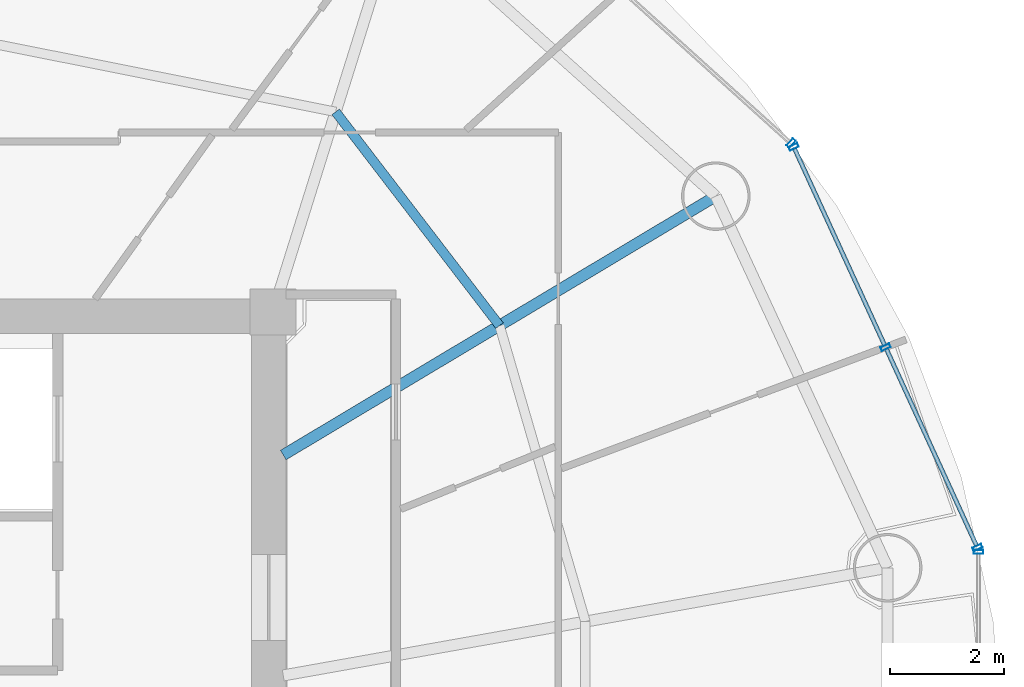
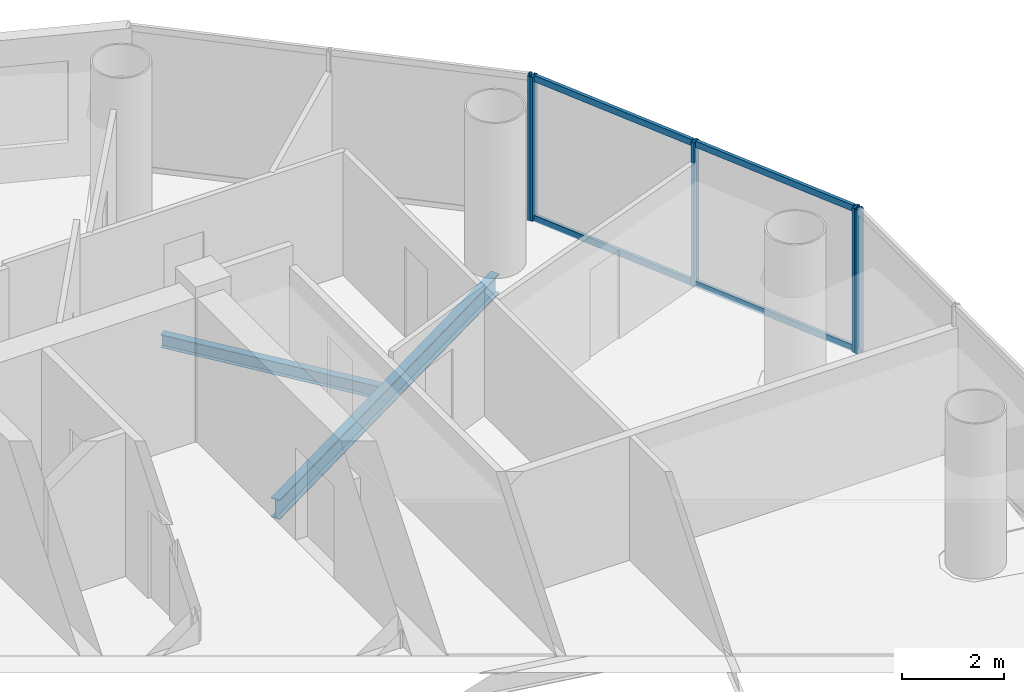
# One storey, part 13 of 26: 9 members, 2 beams, 3 elements without a shape of their own.
"""IFC4 building model written with IfcOpenShell, lengths in metres."""

from ifc_helpers import new_model, si_unit, direction, frame, origin, origin_2d, place, context, subcontext, project, spatial, hollow_rectangle, i_section, extrude, source, transform, mapped, material, material_profile, profile_set, type_object, element, aggregate, save


model = new_model("IFC4")

# Units and contexts
model_context = context("Model", 3, precision=1e-05, world=origin(), true_north=direction((-0.2419218956, 0.970295726276)))
body_context = subcontext(model_context, "Body", "Model", "MODEL_VIEW")
ifc_project = project(units=[si_unit("LENGTHUNIT", "METRE"), si_unit("AREAUNIT", "SQUARE_METRE"), si_unit("VOLUMEUNIT", "CUBIC_METRE"), si_unit("PLANEANGLEUNIT", "RADIAN"), si_unit("MASSUNIT", "GRAM", prefix="KILO")], contexts=[model_context])

# Site, building, storey
site_placement = place(None, origin())
site = spatial("IfcSite", under=ifc_project, at=site_placement, CompositionType="ELEMENT")
building_placement = place(site_placement, origin())
building = spatial("IfcBuilding", under=site, at=building_placement, Name="Cobrevalo Terracotta Tower", CompositionType="ELEMENT")
storey_placement = place(building_placement, frame((0.0, 0.0, 217.10009765625)))
storey = spatial("IfcBuildingStorey", under=building, at=storey_placement, Name="L57", CompositionType="ELEMENT", Elevation=217.10009765625)

# Beams
ifc_material_1 = material(Name="Steel S355", Category="steel")
ifc_material_profile_1 = material_profile(ifc_material_1, i_section(OverallWidth=0.194091796875, OverallDepth=0.468994140625, WebThickness=0.011474609375, FlangeThickness=0.0205078125, at=origin_2d()), Name="W 460x106")
ifc_profile_set_1 = profile_set([ifc_material_profile_1], Name="Steel S355")
beam_type_1 = type_object("IfcBeamType", Name="Structural Beam W 460x106 (Steel S355)", PredefinedType="BEAM", material=ifc_profile_set_1)
beam_1_placement = place(storey_placement, frame((54.754150390625, 36.828125, -0.49951171875), z_axis=(-0.858046392192, -0.513572184651, 0.0), x_axis=(0.513572184651, -0.858046392192, 0.0)))
element("IfcBeam", 1, at=beam_1_placement, inside=storey, type_object=beam_type_1, Name="L57 radial floor girder 02", PredefinedType="BEAM", context=body_context, shape_type="SweptSolid", body=[
    extrude(i_section(OverallWidth=0.194091796875, OverallDepth=0.468994140625, WebThickness=0.011474609375, FlangeThickness=0.0205078125, at=origin_2d()), origin(), (0.0, 0.0, 1.0), 8.827392578125),
])
ifc_material_profile_2 = material_profile(ifc_material_1, i_section(OverallWidth=0.1650390625, OverallDepth=0.31005859375, WebThickness=0.005859375, FlangeThickness=0.009765625, at=origin_2d()), Name="W 310x38.7")
ifc_profile_set_2 = profile_set([ifc_material_profile_2], Name="Steel S355")
beam_type_2 = type_object("IfcBeamType", Name="Structural Joist W 310x38.7 (Steel S355)", PredefinedType="JOIST", material=ifc_profile_set_2)
beam_2_placement = place(storey_placement, frame((50.967041015625, 34.561279296875, -0.420166015625), z_axis=(-0.608464146296, 0.793581364872, 0.0), x_axis=(-0.793581364872, -0.608464146296, 0.0)))
element("IfcBeam", 2, at=beam_2_placement, inside=storey, type_object=beam_type_2, Name="L57 circumferential secondary floor joist 02", PredefinedType="JOIST", context=body_context, shape_type="SweptSolid", body=[
    extrude(i_section(OverallWidth=0.1650390625, OverallDepth=0.31005859375, WebThickness=0.005859375, FlangeThickness=0.009765625, at=origin_2d()), origin(), (0.0, 0.0, 1.0), 4.716064453125),
])

# Curtain wall, members
ifc_material_2 = material(Name="Anodized aluminium", Category="aluminium")
curtain_wall_type = type_object("IfcCurtainWallType", Name="Mid-tower high-wind unitised curtain wall CW-U2", PredefinedType="NOTDEFINED", material=ifc_material_2)
curtain_wall_1_placement = place(storey_placement, origin())
curtain_wall_1 = element("IfcCurtainWall", 3, at=curtain_wall_1_placement, inside=storey, type_object=curtain_wall_type, Name="L57 curtain wall CW-L57-S01", PredefinedType="NOTDEFINED")
ifc_material_profile_3 = material_profile(ifc_material_2, hollow_rectangle(XDim=0.074951171875, YDim=0.14990234375, WallThickness=0.00439453125, at=origin_2d()), Name="CWT 75x150")
ifc_profile_set_3 = profile_set([ifc_material_profile_3], Name="Anodized aluminium")
member_type_1 = type_object("IfcMemberType", Name="Tower unitised aluminium transom 75x150", PredefinedType="USERDEFINED", material=ifc_profile_set_3)
shared_shape_1 = source(origin(), body_context, "Body", "SweptSolid", [
    extrude(hollow_rectangle(XDim=0.074951171875, YDim=0.14990234375, WallThickness=0.00439453125, at=origin_2d()), origin(), (0.0, 0.0, 1.0), 3.780029296875),
])
member_1_placement = place(storey_placement, frame((59.318359375, 30.710205078125, 0.0498046875), z_axis=(-0.416705859352, 0.909041377926, 0.0), x_axis=(-0.909041377926, -0.416705859352, 0.0)))
member_1 = element("IfcMember", 4, at=member_1_placement, type_object=member_type_1, Name="CW-L57-S01 transom B01-T1", ObjectType="TRANSOM", PredefinedType="USERDEFINED", context=body_context, shape_type="MappedRepresentation", body=[
    mapped(shared_shape_1, transform((0.0, 0.0, 0.0), scale=1.0)),
])
member_2_placement = place(storey_placement, frame((59.318359375, 30.710205078125, 3.385009765625), z_axis=(-0.416705859352, 0.909041377926, 0.0), x_axis=(-0.909041377926, -0.416705859352, 0.0)))
member_2 = element("IfcMember", 5, at=member_2_placement, type_object=member_type_1, Name="CW-L57-S01 transom B01-T2", ObjectType="TRANSOM", PredefinedType="USERDEFINED", context=body_context, shape_type="MappedRepresentation", body=[
    mapped(shared_shape_1, transform((0.0, 0.0, 0.0), scale=1.0)),
])
member_3_placement = place(storey_placement, frame((57.709716796875, 34.218994140625, 0.0498046875), z_axis=(-0.416705859352, 0.909041377926, 0.0), x_axis=(-0.909041377926, -0.416705859352, 0.0)))
member_3 = element("IfcMember", 6, at=member_3_placement, type_object=member_type_1, Name="CW-L57-S01 transom B02-T1", ObjectType="TRANSOM", PredefinedType="USERDEFINED", context=body_context, shape_type="MappedRepresentation", body=[
    mapped(shared_shape_1, transform((0.0, 0.0, 0.0), scale=1.0)),
])
member_4_placement = place(storey_placement, frame((57.709716796875, 34.218994140625, 3.385009765625), z_axis=(-0.416705859352, 0.909041377926, 0.0), x_axis=(-0.909041377926, -0.416705859352, 0.0)))
member_4 = element("IfcMember", 7, at=member_4_placement, type_object=member_type_1, Name="CW-L57-S01 transom B02-T2", ObjectType="TRANSOM", PredefinedType="USERDEFINED", context=body_context, shape_type="MappedRepresentation", body=[
    mapped(shared_shape_1, transform((0.0, 0.0, 0.0), scale=1.0)),
])
ifc_material_profile_4 = material_profile(ifc_material_2, hollow_rectangle(XDim=0.070068359375, YDim=0.169921875, WallThickness=0.00439453125, at=origin_2d()), Name="CWM 70x170")
ifc_profile_set_4 = profile_set([ifc_material_profile_4], Name="Anodized aluminium")
member_type_2 = type_object("IfcMemberType", Name="Upper tower unitised mullion 70x170", PredefinedType="MULLION", material=ifc_profile_set_4)
shared_shape_2 = source(origin(), body_context, "Body", "SweptSolid", [
    extrude(hollow_rectangle(XDim=0.070068359375, YDim=0.169921875, WallThickness=0.00439453125, at=origin_2d()), origin(), (0.0, 0.0, 1.0), 3.434814453125),
])
member_5_placement = place(storey_placement, frame((59.3349609375, 30.673828125, 0.0), z_axis=(0.0, 0.0, 1.0), x_axis=(-0.41672507912, 0.909032567311, 0.0)))
member_5 = element("IfcMember", 8, at=member_5_placement, type_object=member_type_2, Name="CW-L57-S01 vertical mullion 01", PredefinedType="MULLION", context=body_context, shape_type="MappedRepresentation", body=[
    mapped(shared_shape_2, transform((0.0, 0.0, 0.0), scale=1.0)),
])
member_6_placement = place(storey_placement, frame((57.726318359375, 34.182861328125, 0.0), z_axis=(0.0, 0.0, 1.0), x_axis=(-0.41672507912, 0.909032567311, 0.0)))
member_6 = element("IfcMember", 9, at=member_6_placement, type_object=member_type_2, Name="CW-L57-S01 vertical mullion 02", PredefinedType="MULLION", context=body_context, shape_type="MappedRepresentation", body=[
    mapped(shared_shape_2, transform((0.0, 0.0, 0.0), scale=1.0)),
])
member_7_placement = place(storey_placement, frame((56.11767578125, 37.691650390625, 0.0), z_axis=(0.0, 0.0, 1.0), x_axis=(-0.41672507912, 0.909032567311, 0.0)))
member_7 = element("IfcMember", 10, at=member_7_placement, type_object=member_type_2, Name="CW-L57-S01 vertical mullion 03", PredefinedType="MULLION", context=body_context, shape_type="MappedRepresentation", body=[
    mapped(shared_shape_2, transform((0.0, 0.0, 0.0), scale=1.0)),
])
aggregate(curtain_wall_1, [member_5, member_6, member_7, member_1, member_2, member_3, member_4])

# Curtain wall, member
curtain_wall_2_placement = place(storey_placement, origin())
curtain_wall_2 = element("IfcCurtainWall", 11, at=curtain_wall_2_placement, inside=storey, type_object=curtain_wall_type, Name="L57 curtain wall CW-L57-S02", PredefinedType="NOTDEFINED")
member_8_placement = place(storey_placement, frame((56.071533203125, 37.7548828125, 0.0), z_axis=(0.0, 0.0, 1.0), x_axis=(-0.741987542015, 0.670413668935, 0.0)))
member_8 = element("IfcMember", 12, at=member_8_placement, type_object=member_type_2, Name="CW-L57-S02 vertical mullion 01", PredefinedType="MULLION", context=body_context, shape_type="MappedRepresentation", body=[
    mapped(shared_shape_2, transform((0.0, 0.0, 0.0), scale=1.0)),
])
aggregate(curtain_wall_2, [member_8])

curtain_wall_3_placement = place(storey_placement, origin())
curtain_wall_3 = element("IfcCurtainWall", 13, at=curtain_wall_3_placement, inside=storey, type_object=curtain_wall_type, Name="L57 curtain wall CW-L57-S16", PredefinedType="NOTDEFINED")
member_9_placement = place(storey_placement, frame((59.351806640625, 30.597412109375, 0.0), z_axis=(0.0, 0.0, 1.0), x_axis=(0.0, 1.0, 0.0)))
member_9 = element("IfcMember", 14, at=member_9_placement, type_object=member_type_2, Name="CW-L57-S16 vertical mullion 03", PredefinedType="MULLION", context=body_context, shape_type="MappedRepresentation", body=[
    mapped(shared_shape_2, transform((0.0, 0.0, 0.0), scale=1.0)),
])
aggregate(curtain_wall_3, [member_9])

save(model, "model.ifc")
